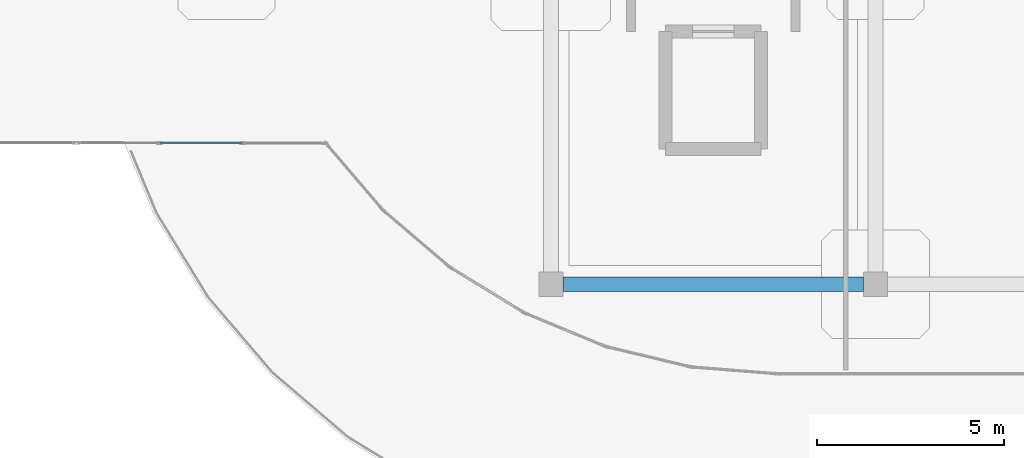
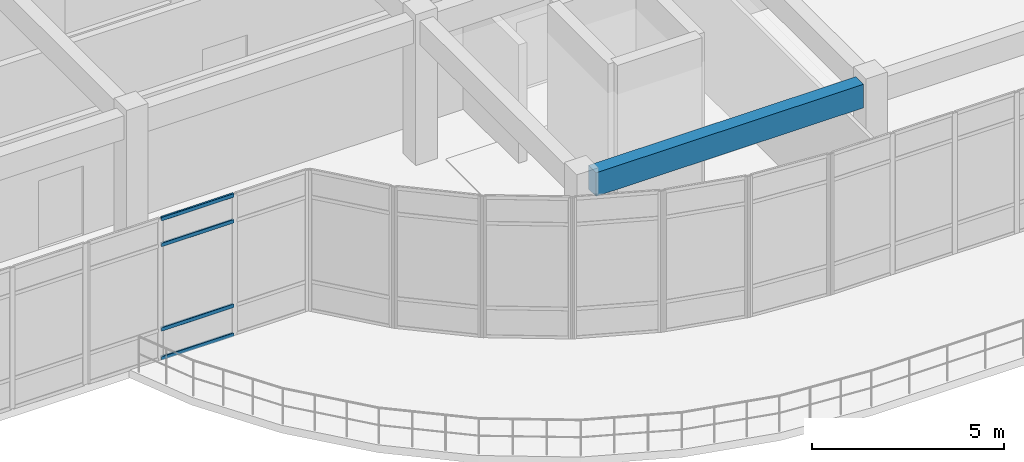
# One storey, part 6 of 41: 4 members, 1 beam, 1 element without a shape of its own.
"""IFC4 building model written with IfcOpenShell, lengths in metres."""

from ifc_helpers import new_model, si_unit, derived_unit, direction, frame, origin, origin_2d, place, context, subcontext, project, spatial, rectangle, hollow_rectangle, extrude, material, layer, layer_set, material_profile, profile_set, type_object, element, aggregate, save


model = new_model("IFC4")

# Units and contexts
model_context = context("Model", 3, precision=1e-05, world=origin(), true_north=direction((0.0, 1.0)))
body_context = subcontext(model_context, "Body", "Model", "MODEL_VIEW")
ifc_project = project(units=[si_unit("LENGTHUNIT", "METRE"), si_unit("AREAUNIT", "SQUARE_METRE"), si_unit("VOLUMEUNIT", "CUBIC_METRE"), si_unit("PLANEANGLEUNIT", "RADIAN"), si_unit("MASSUNIT", "GRAM", prefix="KILO"), derived_unit("THERMALTRANSMITTANCEUNIT", [(si_unit("MASSUNIT", "GRAM", prefix="KILO"), 1), (si_unit("TIMEUNIT", "SECOND"), -3), (si_unit("THERMODYNAMICTEMPERATUREUNIT", "KELVIN"), -1)])], contexts=[model_context])

# Site, building, storey
site_placement = place(None, origin())
site = spatial("IfcSite", under=ifc_project, at=site_placement, CompositionType="ELEMENT")
building_placement = place(site_placement, origin())
building = spatial("IfcBuilding", under=site, at=building_placement, Name="Qinzheling Arcade Emporium", CompositionType="ELEMENT")
storey_placement = place(building_placement, frame((0.0, 0.0, 36.300048828125)))
storey = spatial("IfcBuildingStorey", under=building, at=storey_placement, Name="L08", CompositionType="ELEMENT", Elevation=36.300048828125)

# Curtain wall, members
ifc_material_1 = material(Name="Anodised aluminium and solar-control double glazing", Category="aluminium")
ifc_layer = layer(ifc_material_1, 0.159912109375, Name="Anodised aluminium and solar-control double glazing", Category="aluminium")
ifc_layer_set = layer_set([ifc_layer], Name="Anodised aluminium and solar-control double glazing")
curtain_wall_type = type_object("IfcCurtainWallType", Name="Arcade Portal Glazed Curtain Wall", PredefinedType="NOTDEFINED", material=ifc_layer_set)
curtain_wall_placement = place(storey_placement, origin())
curtain_wall = element("IfcCurtainWall", 1, at=curtain_wall_placement, inside=storey, type_object=curtain_wall_type, Name="Curtain Wall CW-L08-459", PredefinedType="NOTDEFINED")
ifc_material_2 = material(Name="Anodised aluminium 6063-T6", Category="aluminium")
ifc_material_profile_1 = material_profile(ifc_material_2, hollow_rectangle(XDim=0.06005859375, YDim=0.1201171875, WallThickness=0.00390625, InnerFilletRadius=0.00390625, OuterFilletRadius=0.008056640625, at=origin_2d()), Name="RHS 120x60x4", Category="aluminium")
ifc_profile_set_1 = profile_set([ifc_material_profile_1], Name="Anodised aluminium 6063-T6")
member_type = type_object("IfcMemberType", Name="Curtain Wall Transom RHS120x60", PredefinedType="USERDEFINED", material=ifc_profile_set_1)
member_1_placement = place(storey_placement, frame((17.806396484375, 28.985107421875, 0.030029296875), z_axis=(-0.999999594463, 0.00090059628, 0.0), x_axis=(-0.00090059628, -0.999999594463, 0.0)))
member_1 = element("IfcMember", 2, at=member_1_placement, type_object=member_type, Name="CW05 transom 2.1", ObjectType="TRANSOM", PredefinedType="USERDEFINED", context=body_context, shape_type="SweptSolid", body=[
    extrude(hollow_rectangle(XDim=0.06005859375, YDim=0.1201171875, WallThickness=0.00390625, InnerFilletRadius=0.00390625, OuterFilletRadius=0.008056640625, at=origin_2d()), origin(), (0.0, 0.0, 1.0), 2.168701171875),
])
member_2_placement = place(storey_placement, frame((17.806396484375, 28.985107421875, 0.949951171875), z_axis=(-0.999999594463, 0.00090059628, 0.0), x_axis=(-0.00090059628, -0.999999594463, 0.0)))
member_2 = element("IfcMember", 3, at=member_2_placement, type_object=member_type, Name="CW05 transom 2.2", ObjectType="TRANSOM", PredefinedType="USERDEFINED", context=body_context, shape_type="SweptSolid", body=[
    extrude(hollow_rectangle(XDim=0.06005859375, YDim=0.1201171875, WallThickness=0.00390625, InnerFilletRadius=0.00390625, OuterFilletRadius=0.008056640625, at=origin_2d()), origin(), (0.0, 0.0, 1.0), 2.168701171875),
])
member_3_placement = place(storey_placement, frame((17.806396484375, 28.985107421875, 3.639892578125), z_axis=(-0.999999594463, 0.00090059628, 0.0), x_axis=(-0.00090059628, -0.999999594463, 0.0)))
member_3 = element("IfcMember", 4, at=member_3_placement, type_object=member_type, Name="CW05 transom 2.3", ObjectType="TRANSOM", PredefinedType="USERDEFINED", context=body_context, shape_type="SweptSolid", body=[
    extrude(hollow_rectangle(XDim=0.06005859375, YDim=0.1201171875, WallThickness=0.00390625, InnerFilletRadius=0.00390625, OuterFilletRadius=0.008056640625, at=origin_2d()), origin(), (0.0, 0.0, 1.0), 2.168701171875),
])
member_4_placement = place(storey_placement, frame((17.806396484375, 28.985107421875, 4.4599609375), z_axis=(-0.999999594463, 0.00090059628, 0.0), x_axis=(-0.00090059628, -0.999999594463, 0.0)))
member_4 = element("IfcMember", 5, at=member_4_placement, type_object=member_type, Name="CW05 transom 2.4", ObjectType="TRANSOM", PredefinedType="USERDEFINED", context=body_context, shape_type="SweptSolid", body=[
    extrude(hollow_rectangle(XDim=0.06005859375, YDim=0.1201171875, WallThickness=0.00390625, InnerFilletRadius=0.00390625, OuterFilletRadius=0.008056640625, at=origin_2d()), origin(), (0.0, 0.0, 1.0), 2.168701171875),
])
aggregate(curtain_wall, [member_1, member_2, member_3, member_4])

# Beam
ifc_material_3 = material(Name="Concrete C40", Category="concrete")
ifc_material_profile_2 = material_profile(ifc_material_3, rectangle(XDim=0.39990234375, YDim=0.75, at=origin_2d()), Name="RC 400x750", Category="concrete")
ifc_profile_set_2 = profile_set([ifc_material_profile_2], Name="Concrete C40")
beam_type = type_object("IfcBeamType", Name="RC Interior Tie Beam 400x750 C40", PredefinedType="BEAM", material=ifc_profile_set_2)
beam_placement = place(storey_placement, frame((26.425048828125, 25.199951171875, 4.18505859375), z_axis=(1.0, 0.0, 0.0), x_axis=(0.0, 1.0, 0.0)))
element("IfcBeam", 6, at=beam_placement, inside=storey, type_object=beam_type, Name="Beam BM-L08-X-D-4", PredefinedType="BEAM", context=body_context, shape_type="SweptSolid", body=[
    extrude(rectangle(XDim=0.39990234375, YDim=0.75, at=origin_2d()), origin(), (0.0, 0.0, 1.0), 8.050048828125),
])

save(model, "model.ifc")
